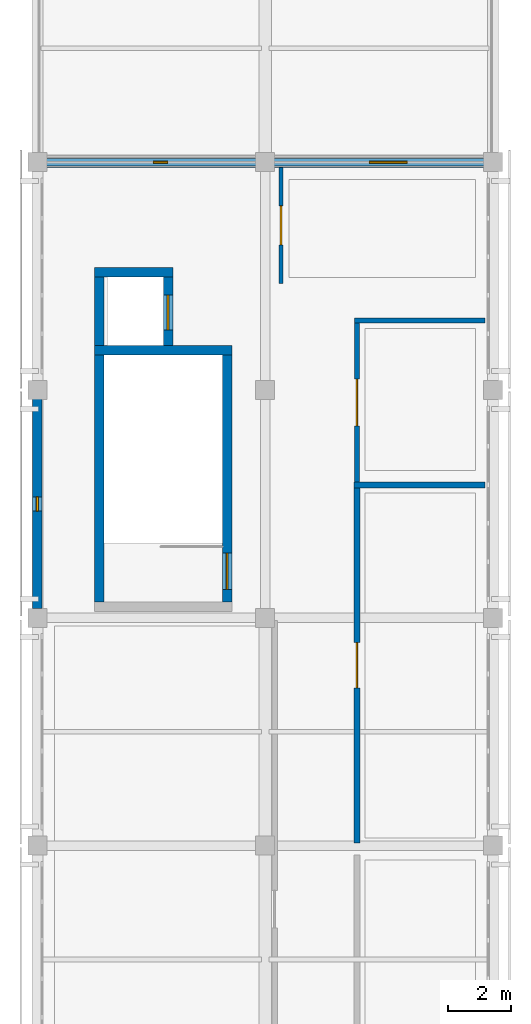
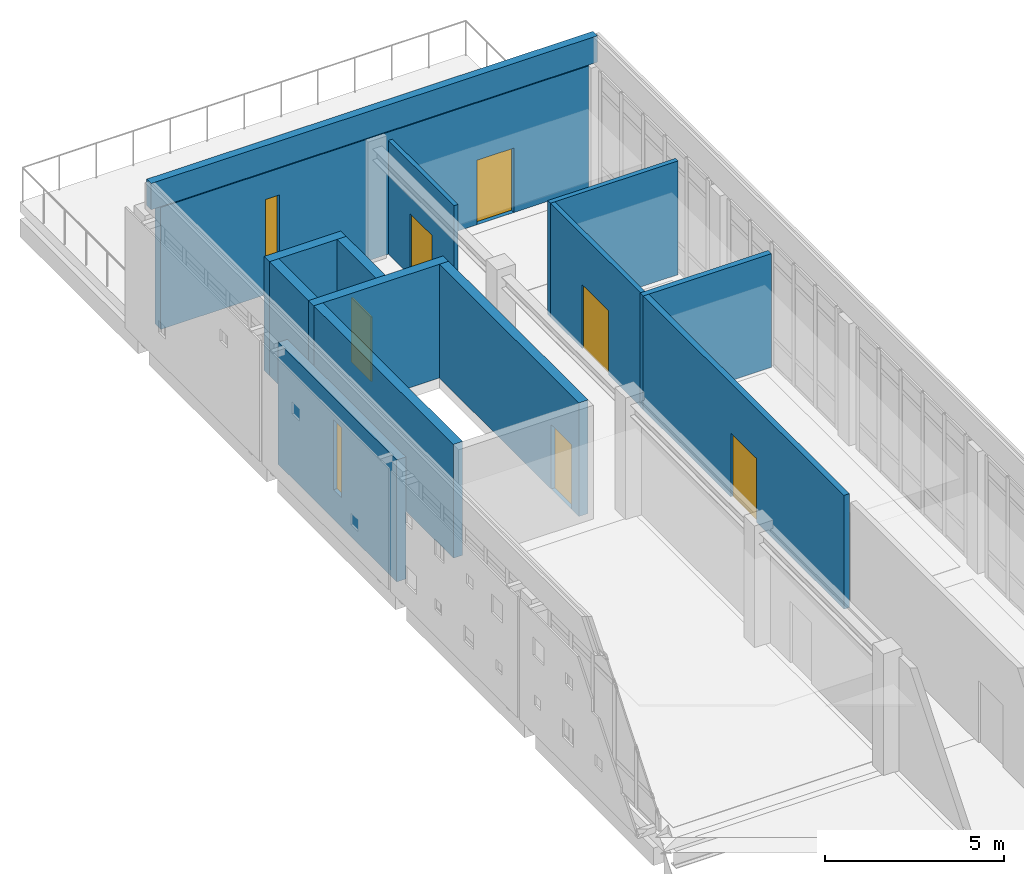
# One storey, part 16 of 19: 14 walls, 6 doors, 2 windows, 8 openings.
"""IFC4 building model written with IfcOpenShell, lengths in metres."""

import ifcopenshell
import ifcopenshell.guid

model = None  # the IFC model being written
_history = None  # IfcOwnerHistory: only IFC2X3 demands one
_inside = {}  # id of a spatial element -> (the spatial element, [elements in it])
_under = {}  # id of a project, library or spatial element -> (it, [spatial elements below it])
_declared = {}  # id of a project -> (the project, [libraries it declares])
_typed = {}  # id of a type object -> (the type object, [elements of that type])
_made_of = {}  # id of a material, layer set ... -> (it, [elements and type objects made of it])


def new_model(schema):
    """Start an empty IFC model of exactly this schema.

    Asked for "IFC4X3", IfcOpenShell would pick the latest addendum, in which some entities
    have other attributes; the version numbers below select the first issue.
    IFC2X3 requires an IfcOwnerHistory on every rooted entity: one is made here for all.
    """
    global model, _history
    if schema == "IFC4X3":
        model = ifcopenshell.file(schema_version=(4, 3, 0, 0))
    else:
        model = ifcopenshell.file(schema=schema)
    _inside.clear()
    _under.clear()
    _declared.clear()
    _typed.clear()
    _made_of.clear()
    _history = None
    if model.schema == "IFC2X3":
        org = make("IfcOrganization", Name="unknown")
        user = make(
            "IfcPersonAndOrganization",
            ThePerson=make("IfcPerson", FamilyName="unknown"),
            TheOrganization=org,
        )
        app = make(
            "IfcApplication",
            ApplicationDeveloper=org,
            Version="unknown",
            ApplicationFullName="unknown",
            ApplicationIdentifier="unknown",
        )
        _history = make(
            "IfcOwnerHistory",
            OwningUser=user,
            OwningApplication=app,
            ChangeAction="ADDED",
            CreationDate=0,
        )
    return model


def make(cls, **values):
    """One entity of the class cls with the attributes given. An attribute that is None is left unset."""
    return model.create_entity(
        cls, **{name: value for name, value in values.items() if value is not None}
    )


def rooted(cls, **values):
    """An entity with a GlobalId (a new one), such as an element, a storey or a relation."""
    return make(cls, GlobalId=ifcopenshell.guid.new(), OwnerHistory=_history, **values)


def si_unit(unit_type, name, prefix=None):
    """IfcSIUnit, for example si_unit("LENGTHUNIT", "METRE", prefix="MILLI")."""
    return make("IfcSIUnit", UnitType=unit_type, Prefix=prefix, Name=name)


def assignment(units):
    """IfcUnitAssignment: the units of a project."""
    return None if units is None else make("IfcUnitAssignment", Units=units)


def point(xyz):
    """IfcCartesianPoint."""
    return None if xyz is None else make("IfcCartesianPoint", Coordinates=xyz)


def direction(xyz):
    """IfcDirection."""
    return None if xyz is None else make("IfcDirection", DirectionRatios=xyz)


def frame(location, z_axis=None, x_axis=None):
    """IfcAxis2Placement3D, a coordinate frame: its origin and axes. An axis left out is left unset."""
    return make(
        "IfcAxis2Placement3D",
        Location=point(location),
        Axis=direction(z_axis),
        RefDirection=direction(x_axis),
    )


def frame_2d(location, x_axis=None):
    """IfcAxis2Placement2D, a coordinate frame in the plane: its origin and x axis."""
    return make(
        "IfcAxis2Placement2D", Location=point(location), RefDirection=direction(x_axis)
    )


def origin():
    """The frame at (0, 0, 0) with its axes left unset."""
    return frame((0.0, 0.0, 0.0))


def place(relative_to, where):
    """IfcLocalPlacement: puts the frame where relative to a parent placement (None: the world)."""
    return make(
        "IfcLocalPlacement", PlacementRelTo=relative_to, RelativePlacement=where
    )


def context(
    kind, dimensions, precision=None, world=None, true_north=None, identifier=None
):
    """IfcGeometricRepresentationContext, for example the 3D "Model" context."""
    return make(
        "IfcGeometricRepresentationContext",
        ContextIdentifier=identifier,
        ContextType=kind,
        CoordinateSpaceDimension=dimensions,
        Precision=precision,
        WorldCoordinateSystem=world,
        TrueNorth=true_north,
    )


def subcontext(parent, identifier, kind, view, scale=None):
    """IfcGeometricRepresentationSubContext, for example "Body" below "Model"."""
    return make(
        "IfcGeometricRepresentationSubContext",
        ContextIdentifier=identifier,
        ContextType=kind,
        ParentContext=parent,
        TargetScale=scale,
        TargetView=view,
    )


def project(units=None, contexts=None):
    """IfcProject with its units and contexts."""
    return rooted(
        "IfcProject",
        Name="project",
        RepresentationContexts=contexts,
        UnitsInContext=assignment(units),
    )


def spatial(cls, under=None, at=None, **own):
    """A site, building, storey or space (cls), placed at a placement, below another one or the project."""
    s = rooted(cls, ObjectPlacement=at, **own)
    if under is not None:
        _under.setdefault(under.id(), (under, []))[1].append(s)
    return s


def profile(cls, at=None, kind="AREA", **sizes):
    """A parametric profile (cls). Its sizes go by their IFC names, for example OverallWidth=200.0."""
    return make(cls, ProfileType=kind, Position=at, **sizes)


def rectangle(**sizes):
    """IfcRectangleProfileDef."""
    return profile("IfcRectangleProfileDef", **sizes)


def extrude(swept, where, along, depth):
    """IfcExtrudedAreaSolid: the profile swept, set in the frame where, extruded along a direction by depth."""
    return make(
        "IfcExtrudedAreaSolid",
        SweptArea=swept,
        Position=where,
        ExtrudedDirection=direction(along),
        Depth=depth,
    )


def shape(context_of_items, identifier, shape_type, items):
    """IfcShapeRepresentation: the items that make up one representation, for example the "Body"."""
    return make(
        "IfcShapeRepresentation",
        ContextOfItems=context_of_items,
        RepresentationIdentifier=identifier,
        RepresentationType=shape_type,
        Items=items,
    )


def material(Name=None, Category=None):
    """IfcMaterial."""
    return make("IfcMaterial", Name=Name, Category=Category)


def layer(
    of_material, thickness, ventilated=None, Name=None, Category=None, Priority=None
):
    """IfcMaterialLayer: one layer of a wall or slab, of a material (None: an air gap)."""
    return make(
        "IfcMaterialLayer",
        Material=of_material,
        LayerThickness=thickness,
        IsVentilated=ventilated,
        Name=Name,
        Category=Category,
        Priority=Priority,
    )


def layer_set(layers, Name=None):
    """IfcMaterialLayerSet."""
    return make("IfcMaterialLayerSet", MaterialLayers=layers, LayerSetName=Name)


def made_of(thing, what):
    """Note that an element or type object is made of a material, layer set ...; save() writes the relation."""
    if what is not None:
        _made_of.setdefault(what.id(), (what, []))[1].append(thing)
    return thing


def type_object(cls, material=None, **own):
    """A type object (cls), such as IfcWallType, which elements share."""
    return made_of(rooted(cls, **own), material)


def element(
    cls,
    number,
    at=None,
    inside=None,
    cuts=None,
    type_object=None,
    material=None,
    context=None,
    identifier="Body",
    shape_type=None,
    held_by="IfcProductDefinitionShape",
    body=None,
    shapes=None,
    **own,
):
    """One element of the class cls, such as IfcWall. Its Tag is "e" and its number.

    at: its placement. inside: the storey or other place that contains it. cuts: it is an
    opening in that element (IfcRelVoidsElement). A single representation is given by context,
    identifier, shape_type and body (its items); several are given by shapes. held_by: the class
    of the entity that holds the representations. save() writes the other relations.
    """
    e = rooted(cls, Tag="e%d" % number, ObjectPlacement=at, **own)
    if body is not None:
        shapes = [shape(context, identifier, shape_type, body)]
    if shapes is not None:
        e.Representation = make(held_by, Representations=shapes)
    if inside is not None:
        _inside.setdefault(inside.id(), (inside, []))[1].append(e)
    if cuts is not None:
        rooted(
            "IfcRelVoidsElement", RelatingBuildingElement=cuts, RelatedOpeningElement=e
        )
    if type_object is not None:
        _typed.setdefault(type_object.id(), (type_object, []))[1].append(e)
    return made_of(e, material)


def fill(opening, filler):
    """IfcRelFillsElement: the door or window that sits in an opening."""
    return rooted(
        "IfcRelFillsElement",
        RelatingOpeningElement=opening,
        RelatedBuildingElement=filler,
    )


def aggregate(whole, parts):
    """IfcRelAggregates: a whole, such as a stair, and the parts it consists of."""
    return rooted("IfcRelAggregates", RelatingObject=whole, RelatedObjects=parts)


def save(model, path):
    """Write the relations noted so far, then the file.

    IfcRelAggregates (storeys below a building ...), IfcRelContainedInSpatialStructure (elements
    in a storey), IfcRelDefinesByType, IfcRelAssociatesMaterial and IfcRelDeclares: one each for
    every whole, place, type object, material and project.
    """
    for whole, parts in _under.values():
        aggregate(whole, parts)
    for where, things in _inside.values():
        rooted(
            "IfcRelContainedInSpatialStructure",
            RelatedElements=things,
            RelatingStructure=where,
        )
    for kind, things in _typed.values():
        rooted("IfcRelDefinesByType", RelatedObjects=things, RelatingType=kind)
    for what, things in _made_of.values():
        rooted("IfcRelAssociatesMaterial", RelatedObjects=things, RelatingMaterial=what)
    for by, libraries in _declared.values():
        rooted("IfcRelDeclares", RelatingContext=by, RelatedDefinitions=libraries)
    model.write(path)


model = new_model("IFC4")

# Units and contexts
model_context = context("Model", 3, precision=1e-05, world=origin(), true_north=direction((0.0, 1.0)))
body_context = subcontext(model_context, "Body", "Model", "MODEL_VIEW")
ifc_project = project(units=[si_unit("LENGTHUNIT", "METRE"), si_unit("AREAUNIT", "SQUARE_METRE"), si_unit("VOLUMEUNIT", "CUBIC_METRE"), si_unit("PLANEANGLEUNIT", "RADIAN"), si_unit("MASSUNIT", "GRAM", prefix="KILO")], contexts=[model_context])

# Site, building, storey
site_placement = place(None, origin())
site = spatial("IfcSite", under=ifc_project, at=site_placement, CompositionType="ELEMENT")
building_placement = place(site_placement, origin())
building = spatial("IfcBuilding", under=site, at=building_placement, Name="Valkovuoma Quantum and Materials Research Institute", CompositionType="ELEMENT")
storey_placement = place(building_placement, frame((0.0, 0.0, 38.080078125)))
storey = spatial("IfcBuildingStorey", under=building, at=storey_placement, Name="L09", CompositionType="ELEMENT", Elevation=38.080078125)

# Walls
ifc_material_1 = material(Name="Concrete C40/50", Category="concrete")
ifc_layer_1 = layer(ifc_material_1, 0.300048828125)
ifc_layer_set_1 = layer_set([ifc_layer_1], Name="Concrete C40/50")
wall_type_1 = type_object("IfcWallType", Name="Wall-W-COR300", PredefinedType="SHEAR", material=ifc_layer_set_1)
wall_1_placement = place(storey_placement, frame((1.800048828125, 80.449951171875, 0.0), z_axis=(0.0, 0.0, 1.0), x_axis=(1.0, 0.0, 0.0)))
element("IfcWall", 1, at=wall_1_placement, inside=storey, type_object=wall_type_1, Name="L09 core wall 0193", PredefinedType="SHEAR", context=body_context, shape_type="SweptSolid", body=[
    extrude(rectangle(XDim=4.349853515625, YDim=0.300048828125, at=frame_2d((2.1748046875, 0.0))), origin(), (0.0, 0.0, 1.0), 3.8798828125),
])
wall_2_placement = place(storey_placement, frame((1.949951171875, 72.5, 0.0), z_axis=(0.0, 0.0, 1.0), x_axis=(0.0, 1.0, 0.0)))
element("IfcWall", 2, at=wall_2_placement, inside=storey, type_object=wall_type_1, Name="L09 core wall 0194", PredefinedType="SHEAR", context=body_context, shape_type="SweptSolid", body=[
    extrude(rectangle(XDim=7.800048828125, YDim=0.300048828125, at=frame_2d((3.89990234375, 0.0))), origin(), (0.0, 0.0, 1.0), 3.8798828125),
])

# Wall, opening, door
wall_3_placement = place(storey_placement, frame((6.0, 72.5, 0.0), z_axis=(0.0, 0.0, 1.0), x_axis=(0.0, 1.0, 0.0)))
wall_3 = element("IfcWall", 3, at=wall_3_placement, inside=storey, type_object=wall_type_1, Name="L09 core wall 0195", PredefinedType="SHEAR", context=body_context, shape_type="SweptSolid", body=[
    extrude(rectangle(XDim=7.800048828125, YDim=0.300048828125, at=frame_2d((3.89990234375, 0.0))), origin(), (0.0, 0.0, 1.0), 3.8798828125),
])
opening_1_placement = place(wall_3_placement, frame((0.39990234375, 0.0, 0.0)))
opening_1 = element("IfcOpeningElement", 4, at=opening_1_placement, cuts=wall_3, Name="Opening SD-033", PredefinedType="OPENING", context=body_context, shape_type="SweptSolid", body=[
    extrude(rectangle(XDim=1.14990234375, YDim=2.199951171875, at=frame_2d((0.574951171875, 1.10009765625))), frame((0.0, 0.16015625, 0.0), z_axis=(0.0, -1.0, 0.0), x_axis=(1.0, 0.0, 0.0)), (0.0, 0.0, 1.0), 0.320068359375),
])
ifc_material_2 = material(Name="Powder-coated steel and acoustic timber door assembly", Category="steel")
door_type_1 = type_object("IfcDoorType", Name="Door-DR-ST60", OperationType="NOTDEFINED", PredefinedType="DOOR", material=ifc_material_2)
door_1_placement = place(opening_1_placement, origin())
door_1 = element("IfcDoor", 5, at=door_1_placement, inside=storey, type_object=door_type_1, Name="L09 ST-2 fire door", OperationType="SINGLE_SWING_RIGHT", OverallHeight=2.199951171875, OverallWidth=1.14990234375, PredefinedType="DOOR", context=body_context, shape_type="SweptSolid", body=[
    extrude(rectangle(XDim=1.14990234375, YDim=2.199951171875, at=frame_2d((0.574951171875, 1.10009765625))), frame((0.0, 0.02490234375, 0.0), z_axis=(0.0, -1.0, 0.0), x_axis=(1.0, 0.0, 0.0)), (0.0, 0.0, 1.0), 0.050048828125),
])
fill(opening_1, door_1)

# Walls
wall_4_placement = place(storey_placement, frame((1.800048828125, 82.929931640625, 0.0), z_axis=(0.0, 0.0, 1.0), x_axis=(1.0, 0.0, 0.0)))
element("IfcWall", 6, at=wall_4_placement, inside=storey, type_object=wall_type_1, Name="L09 core wall 0196", PredefinedType="SHEAR", context=body_context, shape_type="SweptSolid", body=[
    extrude(rectangle(XDim=2.47998046875, YDim=0.300048828125, at=frame_2d((1.239990234375, 0.0))), origin(), (0.0, 0.0, 1.0), 3.8798828125),
])
wall_5_placement = place(storey_placement, frame((1.949951171875, 80.60009765625, 0.0), z_axis=(0.0, 0.0, 1.0), x_axis=(0.0, 1.0, 0.0)))
element("IfcWall", 7, at=wall_5_placement, inside=storey, type_object=wall_type_1, Name="L09 core wall 0197", PredefinedType="SHEAR", context=body_context, shape_type="SweptSolid", body=[
    extrude(rectangle(XDim=2.179931640625, YDim=0.300048828125, at=frame_2d((1.08984375, 0.0))), origin(), (0.0, 0.0, 1.0), 3.8798828125),
])

# Wall, opening, door
wall_6_placement = place(storey_placement, frame((4.1298828125, 80.60009765625, 0.0), z_axis=(0.0, 0.0, 1.0), x_axis=(0.0, 1.0, 0.0)))
wall_6 = element("IfcWall", 8, at=wall_6_placement, inside=storey, type_object=wall_type_1, Name="L09 core wall 0198", PredefinedType="SHEAR", context=body_context, shape_type="SweptSolid", body=[
    extrude(rectangle(XDim=2.179931640625, YDim=0.300048828125, at=frame_2d((1.08984375, 0.0))), origin(), (0.0, 0.0, 1.0), 3.8798828125),
])
opening_2_placement = place(wall_6_placement, frame((0.5, 0.0, 0.0)))
opening_2 = element("IfcOpeningElement", 9, at=opening_2_placement, cuts=wall_6, Name="Opening LD-033", PredefinedType="OPENING", context=body_context, shape_type="SweptSolid", body=[
    extrude(rectangle(XDim=1.10009765625, YDim=2.199951171875, at=frame_2d((0.550048828125, 1.10009765625))), frame((0.0, 0.16015625, 0.0), z_axis=(0.0, -1.0, 0.0), x_axis=(1.0, 0.0, 0.0)), (0.0, 0.0, 1.0), 0.320068359375),
])
ifc_material_3 = material(Name="Powder-coated steel and acoustic timber door assembly", Category="steel")
door_type_2 = type_object("IfcDoorType", Name="Door-DR-LD01", OperationType="NOTDEFINED", PredefinedType="DOOR", material=ifc_material_3)
door_2_placement = place(opening_2_placement, origin())
door_2 = element("IfcDoor", 10, at=door_2_placement, inside=storey, type_object=door_type_2, Name="L09 LIFT-P2 sliding landing door", OperationType="SLIDING_TO_LEFT", OverallHeight=2.199951171875, OverallWidth=1.10009765625, PredefinedType="DOOR", context=body_context, shape_type="SweptSolid", body=[
    extrude(rectangle(XDim=1.10009765625, YDim=2.199951171875, at=frame_2d((0.550048828125, 1.10009765625))), frame((0.0, 0.02490234375, 0.0), z_axis=(0.0, -1.0, 0.0), x_axis=(1.0, 0.0, 0.0)), (0.0, 0.0, 1.0), 0.050048828125),
])
fill(opening_2, door_2)

# Wall, opening, window
ifc_material_4 = material(Name="Precast concrete C40/50", Category="concrete")
ifc_layer_2 = layer(ifc_material_4, 0.300048828125)
ifc_layer_set_2 = layer_set([ifc_layer_2], Name="Precast concrete C40/50")
wall_type_2 = type_object("IfcWallType", Name="Wall-W-EXT300", PredefinedType="SOLIDWALL", material=ifc_layer_set_2)
wall_7_placement = place(storey_placement, frame((0.0, 72.2900390625, 0.0), z_axis=(0.0, 0.0, 1.0), x_axis=(0.0, 1.0, 0.0)))
wall_7 = element("IfcWall", 11, at=wall_7_placement, inside=storey, type_object=wall_type_2, Name="L09 exterior wall 0068", PredefinedType="SOLIDWALL", context=body_context, shape_type="SweptSolid", body=[
    extrude(rectangle(XDim=6.619873046875, YDim=0.300048828125, at=frame_2d((3.31005859375, 0.0))), origin(), (0.0, 0.0, 1.0), 4.159912109375),
])
opening_3_placement = place(wall_7_placement, frame((3.0849609375, 0.0, 1.0)))
opening_3 = element("IfcOpeningElement", 12, at=opening_3_placement, cuts=wall_7, Name="Opening WN-SL01", PredefinedType="OPENING", context=body_context, shape_type="SweptSolid", body=[
    extrude(rectangle(XDim=0.449951171875, YDim=2.39990234375, at=frame_2d((0.22509765625, 1.199951171875))), frame((0.0, 0.16015625, 0.0), z_axis=(0.0, -1.0, 0.0), x_axis=(1.0, 0.0, 0.0)), (0.0, 0.0, 1.0), 0.320068359375),
])
ifc_material_5 = material(Name="Triple low-E argon glazing in thermally broken aluminium frame", Category="aluminium")
window_type = type_object("IfcWindowType", Name="Win-WN-SL01", PartitioningType="SINGLE_PANEL", PredefinedType="WINDOW", material=ifc_material_5)
window_1_placement = place(opening_3_placement, origin())
window_1 = element("IfcWindow", 13, at=window_1_placement, inside=storey, type_object=window_type, Name="L09 window 0074", OverallHeight=2.39990234375, OverallWidth=0.449951171875, PartitioningType="SINGLE_PANEL", PredefinedType="WINDOW", context=body_context, shape_type="SweptSolid", body=[
    extrude(rectangle(XDim=0.449951171875, YDim=2.39990234375, at=frame_2d((0.22509765625, 1.199951171875))), frame((0.0, 0.030029296875, 0.0), z_axis=(0.0, -1.0, 0.0), x_axis=(1.0, 0.0, 0.0)), (0.0, 0.0, 1.0), 0.06005859375),
])
fill(opening_3, window_1)

# Wall, openings, door, window
ifc_material_6 = material(Name="Precast concrete C40/50", Category="concrete")
ifc_layer_3 = layer(ifc_material_6, 0.320068359375)
ifc_layer_set_3 = layer_set([ifc_layer_3], Name="Precast concrete C40/50")
wall_type_3 = type_object("IfcWallType", Name="Wall-W-EXT320", PredefinedType="SOLIDWALL", material=ifc_layer_set_3)
wall_8_placement = place(storey_placement, frame((0.2900390625, 86.39990234375, 0.0), z_axis=(0.0, 0.0, 1.0), x_axis=(1.0, 0.0, 0.0)))
wall_8 = element("IfcWall", 14, at=wall_8_placement, inside=storey, type_object=wall_type_3, Name="L09 exterior wall 0066", PredefinedType="SOLIDWALL", context=body_context, shape_type="SweptSolid", body=[
    extrude(rectangle(XDim=13.820068359375, YDim=0.320068359375, at=frame_2d((6.91015625, 0.0))), origin(), (0.0, 0.0, 1.0), 4.159912109375),
])
opening_4_placement = place(wall_8_placement, frame((10.199951171875, 0.0, 0.0)))
opening_4 = element("IfcOpeningElement", 15, at=opening_4_placement, cuts=wall_8, Name="Opening ED-007", PredefinedType="OPENING", context=body_context, shape_type="SweptSolid", body=[
    extrude(rectangle(XDim=1.199951171875, YDim=2.199951171875, at=frame_2d((0.60009765625, 1.10009765625))), frame((0.0, 0.169921875, 0.0), z_axis=(0.0, -1.0, 0.0), x_axis=(1.0, 0.0, 0.0)), (0.0, 0.0, 1.0), 0.340087890625),
])
opening_5_placement = place(wall_8_placement, frame((3.375, 0.0, 0.85009765625)))
opening_5 = element("IfcOpeningElement", 16, at=opening_5_placement, cuts=wall_8, Name="Opening WN-SL01", PredefinedType="OPENING", context=body_context, shape_type="SweptSolid", body=[
    extrude(rectangle(XDim=0.449951171875, YDim=2.39990234375, at=frame_2d((0.22509765625, 1.199951171875))), frame((0.0, 0.169921875, 0.0), z_axis=(0.0, -1.0, 0.0), x_axis=(1.0, 0.0, 0.0)), (0.0, 0.0, 1.0), 0.340087890625),
])
ifc_material_7 = material(Name="Thermally broken insulated aluminium and steel door", Category="steel")
door_type_3 = type_object("IfcDoorType", Name="Door-DR-TR02", OperationType="NOTDEFINED", PredefinedType="DOOR", material=ifc_material_7)
door_3_placement = place(opening_4_placement, origin())
door_3 = element("IfcDoor", 17, at=door_3_placement, inside=storey, type_object=door_type_3, Name="L09 exterior door 007", OperationType="SINGLE_SWING_LEFT", OverallHeight=2.199951171875, OverallWidth=1.199951171875, PredefinedType="DOOR", context=body_context, shape_type="SweptSolid", body=[
    extrude(rectangle(XDim=1.199951171875, YDim=2.199951171875, at=frame_2d((0.60009765625, 1.10009765625))), frame((0.0, 0.02490234375, 0.0), z_axis=(0.0, -1.0, 0.0), x_axis=(1.0, 0.0, 0.0)), (0.0, 0.0, 1.0), 0.050048828125),
])
fill(opening_4, door_3)
window_2_placement = place(opening_5_placement, origin())
window_2 = element("IfcWindow", 18, at=window_2_placement, inside=storey, type_object=window_type, Name="L09 window 0073", OverallHeight=2.39990234375, OverallWidth=0.449951171875, PartitioningType="SINGLE_PANEL", PredefinedType="WINDOW", context=body_context, shape_type="SweptSolid", body=[
    extrude(rectangle(XDim=0.449951171875, YDim=2.39990234375, at=frame_2d((0.22509765625, 1.199951171875))), frame((0.0, 0.030029296875, 0.0), z_axis=(0.0, -1.0, 0.0), x_axis=(1.0, 0.0, 0.0)), (0.0, 0.0, 1.0), 0.06005859375),
])
fill(opening_5, window_2)

# Wall
ifc_material_8 = material(Name="Precast concrete C40/50", Category="concrete")
ifc_layer_4 = layer(ifc_material_8, 0.25)
ifc_layer_set_4 = layer_set([ifc_layer_4], Name="Precast concrete C40/50")
wall_type_4 = type_object("IfcWallType", Name="Wall-W-PAR250", PredefinedType="PARAPET", material=ifc_layer_set_4)
wall_9_placement = place(storey_placement, frame((0.0, 86.39990234375, 4.159912109375), z_axis=(0.0, 0.0, 1.0), x_axis=(1.0, 0.0, 0.0)))
element("IfcWall", 19, at=wall_9_placement, inside=storey, type_object=wall_type_4, Name="L09 exterior wall 0070", PredefinedType="PARAPET", context=body_context, shape_type="SweptSolid", body=[
    extrude(rectangle(XDim=14.39990234375, YDim=0.25, at=frame_2d((7.199951171875, 0.0))), origin(), (0.0, 0.0, 1.0), 0.89990234375),
])

# Wall, opening, door
ifc_material_9 = material(Name="Interior office stud partition", Category="masonry")
ifc_layer_5 = layer(ifc_material_9, 0.135009765625)
ifc_layer_set_5 = layer_set([ifc_layer_5], Name="Interior office stud partition")
wall_type_5 = type_object("IfcWallType", Name="Wall-W-PRT135", PredefinedType="PARTITIONING", material=ifc_layer_set_5)
wall_10_placement = place(storey_placement, frame((7.699951171875, 82.5673828125, 0.0), z_axis=(0.0, 0.0, 1.0), x_axis=(0.0, 1.0, 0.0)))
wall_10 = element("IfcWall", 20, at=wall_10_placement, inside=storey, type_object=wall_type_5, Name="L09 partition 0288", PredefinedType="PARTITIONING", context=body_context, shape_type="SweptSolid", body=[
    extrude(rectangle(XDim=3.672607421875, YDim=0.135009765625, at=frame_2d((1.83642578125, 0.0))), origin(), (0.0, 0.0, 1.0), 3.8798828125),
])
opening_6_placement = place(wall_10_placement, frame((1.22119140625, 0.0, 0.0)))
opening_6 = element("IfcOpeningElement", 21, at=opening_6_placement, cuts=wall_10, Name="Opening ID-0203", PredefinedType="OPENING", context=body_context, shape_type="SweptSolid", body=[
    extrude(rectangle(XDim=1.22998046875, YDim=2.1201171875, at=frame_2d((0.614990234375, 1.06005859375))), frame((0.0, 0.07763671875, 0.0), z_axis=(0.0, -1.0, 0.0), x_axis=(1.0, 0.0, 0.0)), (0.0, 0.0, 1.0), 0.155029296875),
])
ifc_material_10 = material(Name="Powder-coated steel and acoustic timber door assembly", Category="steel")
door_type_4 = type_object("IfcDoorType", Name="Door-DR-RM07", OperationType="NOTDEFINED", PredefinedType="DOOR", material=ifc_material_10)
door_4_placement = place(opening_6_placement, origin())
door_4 = element("IfcDoor", 22, at=door_4_placement, inside=storey, type_object=door_type_4, Name="L09 room door 0203", OperationType="SINGLE_SWING_RIGHT", OverallHeight=2.1201171875, OverallWidth=1.22998046875, PredefinedType="DOOR", context=body_context, shape_type="SweptSolid", body=[
    extrude(rectangle(XDim=1.22998046875, YDim=2.1201171875, at=frame_2d((0.614990234375, 1.06005859375))), frame((0.0, 0.02490234375, 0.0), z_axis=(0.0, -1.0, 0.0), x_axis=(1.0, 0.0, 0.0)), (0.0, 0.0, 1.0), 0.050048828125),
])
fill(opening_6, door_4)

# Wall
ifc_material_11 = material(Name="Acoustic write-up studio partition", Category="masonry")
ifc_layer_6 = layer(ifc_material_11, 0.14990234375)
ifc_layer_set_6 = layer_set([ifc_layer_6], Name="Acoustic write-up studio partition")
wall_type_6 = type_object("IfcWallType", Name="Wall-W-PRT150", PredefinedType="PARTITIONING", material=ifc_layer_set_6)
wall_11_placement = place(storey_placement, frame((10.02490234375, 81.39990234375, 0.0), z_axis=(0.0, 0.0, 1.0), x_axis=(1.0, 0.0, 0.0)))
element("IfcWall", 23, at=wall_11_placement, inside=storey, type_object=wall_type_6, Name="L09 partition 0296", PredefinedType="PARTITIONING", context=body_context, shape_type="SweptSolid", body=[
    extrude(rectangle(XDim=4.125, YDim=0.14990234375, at=frame_2d((2.0625, 0.0))), origin(), (0.0, 0.0, 1.0), 3.8798828125),
])

# Wall, opening, door
wall_12_placement = place(storey_placement, frame((10.10009765625, 76.2900390625, 0.0), z_axis=(0.0, 0.0, 1.0), x_axis=(0.0, 1.0, 0.0)))
wall_12 = element("IfcWall", 24, at=wall_12_placement, inside=storey, type_object=wall_type_6, Name="L09 partition 0297", PredefinedType="PARTITIONING", context=body_context, shape_type="SweptSolid", body=[
    extrude(rectangle(XDim=5.034912109375, YDim=0.14990234375, at=frame_2d((2.517578125, 0.0))), origin(), (0.0, 0.0, 1.0), 3.8798828125),
])
opening_7_placement = place(wall_12_placement, frame((1.777587890625, 0.0, 0.0)))
opening_7 = element("IfcOpeningElement", 25, at=opening_7_placement, cuts=wall_12, Name="Opening ID-0208", PredefinedType="OPENING", context=body_context, shape_type="SweptSolid", body=[
    extrude(rectangle(XDim=1.47998046875, YDim=2.179931640625, at=frame_2d((0.739990234375, 1.08984375))), frame((0.0, 0.0849609375, 0.0), z_axis=(0.0, -1.0, 0.0), x_axis=(1.0, 0.0, 0.0)), (0.0, 0.0, 1.0), 0.169921875),
])
ifc_material_12 = material(Name="Powder-coated steel and acoustic timber door assembly", Category="steel")
door_type_5 = type_object("IfcDoorType", Name="Door-DR-RM12", OperationType="NOTDEFINED", PredefinedType="DOOR", material=ifc_material_12)
door_5_placement = place(opening_7_placement, origin())
door_5 = element("IfcDoor", 26, at=door_5_placement, inside=storey, type_object=door_type_5, Name="L09 room door 0208", OperationType="SINGLE_SWING_LEFT", OverallHeight=2.179931640625, OverallWidth=1.47998046875, PredefinedType="DOOR", context=body_context, shape_type="SweptSolid", body=[
    extrude(rectangle(XDim=1.47998046875, YDim=2.179931640625, at=frame_2d((0.739990234375, 1.08984375))), frame((0.0, 0.02490234375, 0.0), z_axis=(0.0, -1.0, 0.0), x_axis=(1.0, 0.0, 0.0)), (0.0, 0.0, 1.0), 0.050048828125),
])
fill(opening_7, door_5)

# Wall
ifc_material_13 = material(Name="Laboratory fire-rated gypsum partition", Category="masonry")
ifc_layer_7 = layer(ifc_material_13, 0.179931640625)
ifc_layer_set_7 = layer_set([ifc_layer_7], Name="Laboratory fire-rated gypsum partition")
wall_type_7 = type_object("IfcWallType", Name="Wall-W-PRT180", PredefinedType="PARTITIONING", material=ifc_layer_set_7)
wall_13_placement = place(storey_placement, frame((10.010009765625, 76.199951171875, 0.0), z_axis=(0.0, 0.0, 1.0), x_axis=(1.0, 0.0, 0.0)))
element("IfcWall", 27, at=wall_13_placement, inside=storey, type_object=wall_type_7, Name="L09 partition 0294", PredefinedType="PARTITIONING", context=body_context, shape_type="SweptSolid", body=[
    extrude(rectangle(XDim=4.139892578125, YDim=0.179931640625, at=frame_2d((2.06982421875, 0.0))), origin(), (0.0, 0.0, 1.0), 3.8798828125),
])

# Wall, opening, door
wall_14_placement = place(storey_placement, frame((10.10009765625, 64.889892578125, 0.0), z_axis=(0.0, 0.0, 1.0), x_axis=(0.0, 1.0, 0.0)))
wall_14 = element("IfcWall", 28, at=wall_14_placement, inside=storey, type_object=wall_type_7, Name="L09 partition 0295", PredefinedType="PARTITIONING", context=body_context, shape_type="SweptSolid", body=[
    extrude(rectangle(XDim=11.22021484375, YDim=0.179931640625, at=frame_2d((5.610107421875, 0.0))), origin(), (0.0, 0.0, 1.0), 3.8798828125),
])
opening_8_placement = place(wall_14_placement, frame((4.89501953125, 0.0, 0.0)))
opening_8 = element("IfcOpeningElement", 29, at=opening_8_placement, cuts=wall_14, Name="Opening ID-0207", PredefinedType="OPENING", context=body_context, shape_type="SweptSolid", body=[
    extrude(rectangle(XDim=1.429931640625, YDim=2.179931640625, at=frame_2d((0.71484375, 1.08984375))), frame((0.0, 0.10009765625, 0.0), z_axis=(0.0, -1.0, 0.0), x_axis=(1.0, 0.0, 0.0)), (0.0, 0.0, 1.0), 0.199951171875),
])
ifc_material_14 = material(Name="Powder-coated steel and acoustic timber door assembly", Category="steel")
door_type_6 = type_object("IfcDoorType", Name="Door-DR-RM11", OperationType="NOTDEFINED", PredefinedType="DOOR", material=ifc_material_14)
door_6_placement = place(opening_8_placement, origin())
door_6 = element("IfcDoor", 30, at=door_6_placement, inside=storey, type_object=door_type_6, Name="L09 room door 0207", OperationType="SINGLE_SWING_RIGHT", OverallHeight=2.179931640625, OverallWidth=1.429931640625, PredefinedType="DOOR", context=body_context, shape_type="SweptSolid", body=[
    extrude(rectangle(XDim=1.429931640625, YDim=2.179931640625, at=frame_2d((0.71484375, 1.08984375))), frame((0.0, 0.02490234375, 0.0), z_axis=(0.0, -1.0, 0.0), x_axis=(1.0, 0.0, 0.0)), (0.0, 0.0, 1.0), 0.050048828125),
])
fill(opening_8, door_6)

save(model, "model.ifc")
